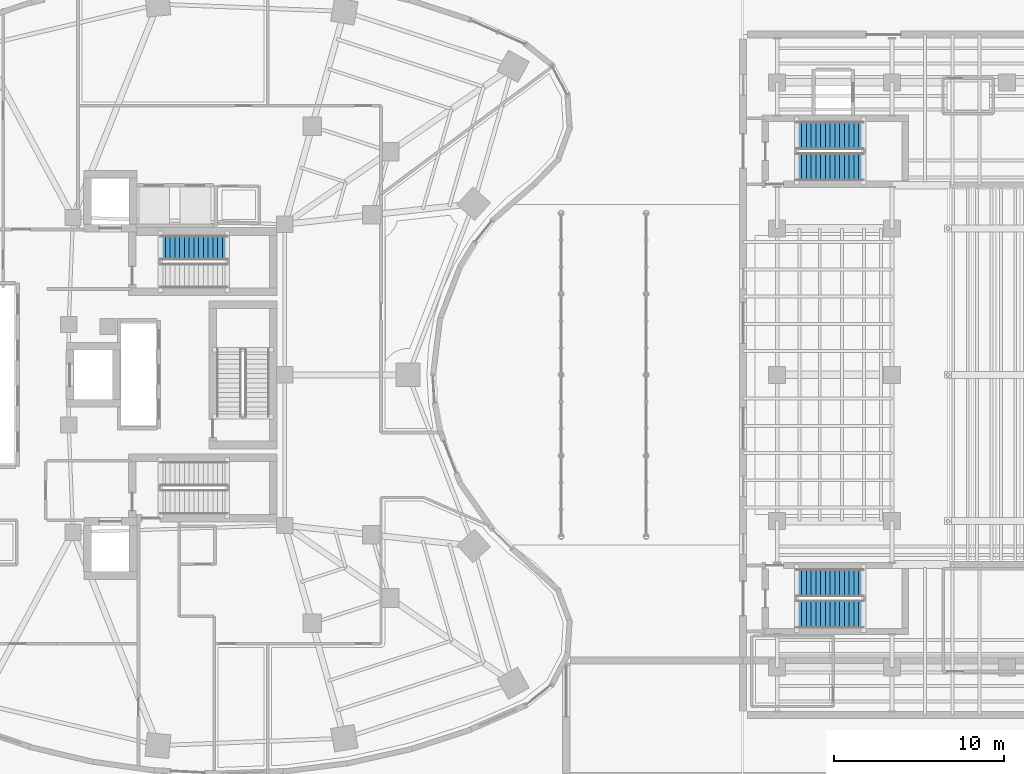
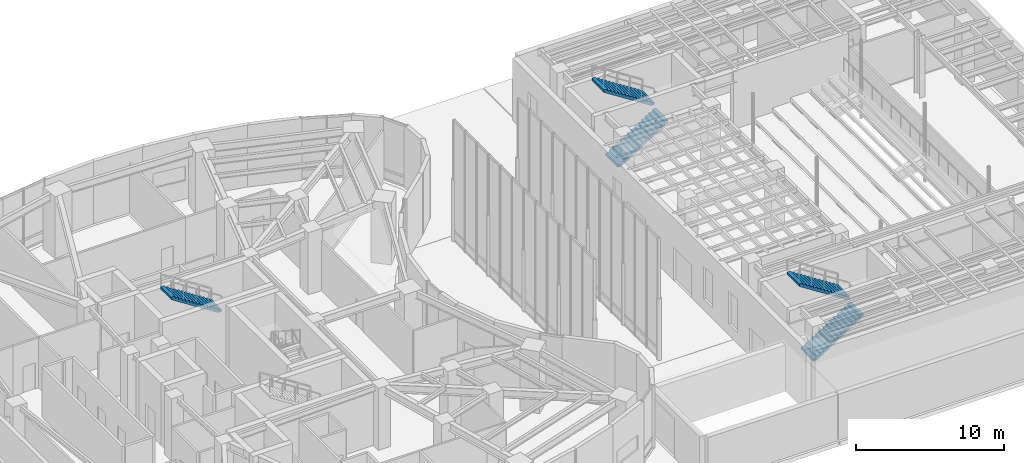
# One storey, part 23 of 28: 5 stair flights, 3 elements without a shape of their own.
"""IFC4 building model written with IfcOpenShell, lengths in metres."""

import ifcopenshell
import ifcopenshell.guid

model = None  # the IFC model being written
_history = None  # IfcOwnerHistory: only IFC2X3 demands one
_inside = {}  # id of a spatial element -> (the spatial element, [elements in it])
_under = {}  # id of a project, library or spatial element -> (it, [spatial elements below it])
_declared = {}  # id of a project -> (the project, [libraries it declares])
_typed = {}  # id of a type object -> (the type object, [elements of that type])
_made_of = {}  # id of a material, layer set ... -> (it, [elements and type objects made of it])


def new_model(schema):
    """Start an empty IFC model of exactly this schema.

    Asked for "IFC4X3", IfcOpenShell would pick the latest addendum, in which some entities
    have other attributes; the version numbers below select the first issue.
    IFC2X3 requires an IfcOwnerHistory on every rooted entity: one is made here for all.
    """
    global model, _history
    if schema == "IFC4X3":
        model = ifcopenshell.file(schema_version=(4, 3, 0, 0))
    else:
        model = ifcopenshell.file(schema=schema)
    _inside.clear()
    _under.clear()
    _declared.clear()
    _typed.clear()
    _made_of.clear()
    _history = None
    if model.schema == "IFC2X3":
        org = make("IfcOrganization", Name="unknown")
        user = make(
            "IfcPersonAndOrganization",
            ThePerson=make("IfcPerson", FamilyName="unknown"),
            TheOrganization=org,
        )
        app = make(
            "IfcApplication",
            ApplicationDeveloper=org,
            Version="unknown",
            ApplicationFullName="unknown",
            ApplicationIdentifier="unknown",
        )
        _history = make(
            "IfcOwnerHistory",
            OwningUser=user,
            OwningApplication=app,
            ChangeAction="ADDED",
            CreationDate=0,
        )
    return model


def make(cls, **values):
    """One entity of the class cls with the attributes given. An attribute that is None is left unset."""
    return model.create_entity(
        cls, **{name: value for name, value in values.items() if value is not None}
    )


def rooted(cls, **values):
    """An entity with a GlobalId (a new one), such as an element, a storey or a relation."""
    return make(cls, GlobalId=ifcopenshell.guid.new(), OwnerHistory=_history, **values)


def si_unit(unit_type, name, prefix=None):
    """IfcSIUnit, for example si_unit("LENGTHUNIT", "METRE", prefix="MILLI")."""
    return make("IfcSIUnit", UnitType=unit_type, Prefix=prefix, Name=name)


def assignment(units):
    """IfcUnitAssignment: the units of a project."""
    return None if units is None else make("IfcUnitAssignment", Units=units)


def point(xyz):
    """IfcCartesianPoint."""
    return None if xyz is None else make("IfcCartesianPoint", Coordinates=xyz)


def direction(xyz):
    """IfcDirection."""
    return None if xyz is None else make("IfcDirection", DirectionRatios=xyz)


def frame(location, z_axis=None, x_axis=None):
    """IfcAxis2Placement3D, a coordinate frame: its origin and axes. An axis left out is left unset."""
    return make(
        "IfcAxis2Placement3D",
        Location=point(location),
        Axis=direction(z_axis),
        RefDirection=direction(x_axis),
    )


def origin():
    """The frame at (0, 0, 0) with its axes left unset."""
    return frame((0.0, 0.0, 0.0))


def place(relative_to, where):
    """IfcLocalPlacement: puts the frame where relative to a parent placement (None: the world)."""
    return make(
        "IfcLocalPlacement", PlacementRelTo=relative_to, RelativePlacement=where
    )


def context(
    kind, dimensions, precision=None, world=None, true_north=None, identifier=None
):
    """IfcGeometricRepresentationContext, for example the 3D "Model" context."""
    return make(
        "IfcGeometricRepresentationContext",
        ContextIdentifier=identifier,
        ContextType=kind,
        CoordinateSpaceDimension=dimensions,
        Precision=precision,
        WorldCoordinateSystem=world,
        TrueNorth=true_north,
    )


def subcontext(parent, identifier, kind, view, scale=None):
    """IfcGeometricRepresentationSubContext, for example "Body" below "Model"."""
    return make(
        "IfcGeometricRepresentationSubContext",
        ContextIdentifier=identifier,
        ContextType=kind,
        ParentContext=parent,
        TargetScale=scale,
        TargetView=view,
    )


def project(units=None, contexts=None):
    """IfcProject with its units and contexts."""
    return rooted(
        "IfcProject",
        Name="project",
        RepresentationContexts=contexts,
        UnitsInContext=assignment(units),
    )


def spatial(cls, under=None, at=None, **own):
    """A site, building, storey or space (cls), placed at a placement, below another one or the project."""
    s = rooted(cls, ObjectPlacement=at, **own)
    if under is not None:
        _under.setdefault(under.id(), (under, []))[1].append(s)
    return s


def polyline(points):
    """IfcPolyline through the points."""
    return make("IfcPolyline", Points=[point(p) for p in points])


def outline(outer, holes=None, kind="AREA"):
    """IfcArbitraryClosedProfileDef: a profile drawn as a closed curve; with holes, ...WithVoids."""
    if holes is None:
        return make("IfcArbitraryClosedProfileDef", ProfileType=kind, OuterCurve=outer)
    return make(
        "IfcArbitraryProfileDefWithVoids",
        ProfileType=kind,
        OuterCurve=outer,
        InnerCurves=holes,
    )


def extrude(swept, where, along, depth):
    """IfcExtrudedAreaSolid: the profile swept, set in the frame where, extruded along a direction by depth."""
    return make(
        "IfcExtrudedAreaSolid",
        SweptArea=swept,
        Position=where,
        ExtrudedDirection=direction(along),
        Depth=depth,
    )


def shape(context_of_items, identifier, shape_type, items):
    """IfcShapeRepresentation: the items that make up one representation, for example the "Body"."""
    return make(
        "IfcShapeRepresentation",
        ContextOfItems=context_of_items,
        RepresentationIdentifier=identifier,
        RepresentationType=shape_type,
        Items=items,
    )


def material(Name=None, Category=None):
    """IfcMaterial."""
    return make("IfcMaterial", Name=Name, Category=Category)


def made_of(thing, what):
    """Note that an element or type object is made of a material, layer set ...; save() writes the relation."""
    if what is not None:
        _made_of.setdefault(what.id(), (what, []))[1].append(thing)
    return thing


def type_object(cls, material=None, **own):
    """A type object (cls), such as IfcWallType, which elements share."""
    return made_of(rooted(cls, **own), material)


def element(
    cls,
    number,
    at=None,
    inside=None,
    cuts=None,
    type_object=None,
    material=None,
    context=None,
    identifier="Body",
    shape_type=None,
    held_by="IfcProductDefinitionShape",
    body=None,
    shapes=None,
    **own,
):
    """One element of the class cls, such as IfcWall. Its Tag is "e" and its number.

    at: its placement. inside: the storey or other place that contains it. cuts: it is an
    opening in that element (IfcRelVoidsElement). A single representation is given by context,
    identifier, shape_type and body (its items); several are given by shapes. held_by: the class
    of the entity that holds the representations. save() writes the other relations.
    """
    e = rooted(cls, Tag="e%d" % number, ObjectPlacement=at, **own)
    if body is not None:
        shapes = [shape(context, identifier, shape_type, body)]
    if shapes is not None:
        e.Representation = make(held_by, Representations=shapes)
    if inside is not None:
        _inside.setdefault(inside.id(), (inside, []))[1].append(e)
    if cuts is not None:
        rooted(
            "IfcRelVoidsElement", RelatingBuildingElement=cuts, RelatedOpeningElement=e
        )
    if type_object is not None:
        _typed.setdefault(type_object.id(), (type_object, []))[1].append(e)
    return made_of(e, material)


def aggregate(whole, parts):
    """IfcRelAggregates: a whole, such as a stair, and the parts it consists of."""
    return rooted("IfcRelAggregates", RelatingObject=whole, RelatedObjects=parts)


def save(model, path):
    """Write the relations noted so far, then the file.

    IfcRelAggregates (storeys below a building ...), IfcRelContainedInSpatialStructure (elements
    in a storey), IfcRelDefinesByType, IfcRelAssociatesMaterial and IfcRelDeclares: one each for
    every whole, place, type object, material and project.
    """
    for whole, parts in _under.values():
        aggregate(whole, parts)
    for where, things in _inside.values():
        rooted(
            "IfcRelContainedInSpatialStructure",
            RelatedElements=things,
            RelatingStructure=where,
        )
    for kind, things in _typed.values():
        rooted("IfcRelDefinesByType", RelatedObjects=things, RelatingType=kind)
    for what, things in _made_of.values():
        rooted("IfcRelAssociatesMaterial", RelatedObjects=things, RelatingMaterial=what)
    for by, libraries in _declared.values():
        rooted("IfcRelDeclares", RelatingContext=by, RelatedDefinitions=libraries)
    model.write(path)


model = new_model("IFC4")

# Units and contexts
model_context = context("Model", 3, precision=1e-05, world=origin(), true_north=direction((0.0, 1.0)))
body_context = subcontext(model_context, "Body", "Model", "MODEL_VIEW")
ifc_project = project(units=[si_unit("LENGTHUNIT", "METRE"), si_unit("AREAUNIT", "SQUARE_METRE"), si_unit("VOLUMEUNIT", "CUBIC_METRE"), si_unit("PLANEANGLEUNIT", "RADIAN"), si_unit("MASSUNIT", "GRAM", prefix="KILO")], contexts=[model_context])

# Site, building, storey
site_placement = place(None, origin())
site = spatial("IfcSite", under=ifc_project, at=site_placement, CompositionType="ELEMENT")
building_placement = place(site_placement, origin())
building = spatial("IfcBuilding", under=site, at=building_placement, Name="Korentha Bioscience Tower", CompositionType="ELEMENT")
storey_placement = place(building_placement, origin())
storey = spatial("IfcBuildingStorey", under=building, at=storey_placement, Name="L00", CompositionType="ELEMENT", Elevation=0.0)

# Stair, stair flight
ifc_material = material(Name="Precast Concrete C50", Category="concrete")
stair_type_1 = type_object("IfcStairType", Name="Core Exit Dog-Leg Stair 1450", PredefinedType="HALF_TURN_STAIR", material=ifc_material)
stair_1_placement = place(storey_placement, origin())
stair_1 = element("IfcStair", 1, at=stair_1_placement, inside=storey, type_object=stair_type_1, Name="L00 Tower North Pressurized Exit Stair ST-1", PredefinedType="HALF_TURN_STAIR")
stair_flight_type_1 = type_object("IfcStairFlightType", Name="Core Exit Dog-Leg Stair 1450 Flight", PredefinedType="STRAIGHT", material=ifc_material)
stair_flight_1_placement = place(storey_placement, frame((34.169921875, 34.47509765625, 2.699951171875), z_axis=(0.0, 0.0, 1.0), x_axis=(-1.0, 0.0, 0.0)))
stair_flight_1 = element("IfcStairFlight", 2, at=stair_flight_1_placement, type_object=stair_flight_type_1, Name="ST-1 flight 2", NumberOfRisers=15, NumberOfTreads=14, PredefinedType="STRAIGHT", RiserHeight=0.18, TreadLength=0.28, context=body_context, shape_type="SweptSolid", body=[
    extrude(outline(polyline([(0.0, 0.0), (0.0, 0.179931640625), (0.280029296875, 0.179931640625), (0.280029296875, 0.360107421875), (0.56005859375, 0.360107421875), (0.56005859375, 0.5400390625), (0.840087890625, 0.5400390625), (0.840087890625, 0.719970703125), (1.1201171875, 0.719970703125), (1.1201171875, 0.89990234375), (1.39990234375, 0.89990234375), (1.39990234375, 1.080078125), (1.679931640625, 1.080078125), (1.679931640625, 1.260009765625), (1.9599609375, 1.260009765625), (1.9599609375, 1.43994140625), (2.239990234375, 1.43994140625), (2.239990234375, 1.6201171875), (2.52001953125, 1.6201171875), (2.52001953125, 1.800048828125), (2.800048828125, 1.800048828125), (2.800048828125, 1.97998046875), (3.080078125, 1.97998046875), (3.080078125, 2.159912109375), (3.360107421875, 2.159912109375), (3.360107421875, 2.340087890625), (3.639892578125, 2.340087890625), (3.639892578125, 2.52001953125), (3.919921875, 2.52001953125), (3.919921875, 2.699951171875), (3.919921875, 2.329833984375), (0.295654296875, 0.0), (0.0, 0.0)])), frame((0.0, 0.72509765625, 0.0), z_axis=(0.0, -1.0, 0.0), x_axis=(1.0, 0.0, 0.0)), (0.0, 0.0, 1.0), 1.449951171875),
])
aggregate(stair_1, [stair_flight_1])

# Stair, stair flights
stair_type_2 = type_object("IfcStairType", Name="Theatre Public Dog-Leg Stair 1650", PredefinedType="HALF_TURN_STAIR", material=ifc_material)
stair_2_placement = place(storey_placement, origin())
stair_2 = element("IfcStair", 3, at=stair_2_placement, inside=storey, type_object=stair_type_2, Name="L00 Civic Theatre South Exit Stair ST-T1", PredefinedType="HALF_TURN_STAIR")
stair_flight_type_2 = type_object("IfcStairFlightType", Name="Theatre Public Dog-Leg Stair 1650 Flight", PredefinedType="STRAIGHT", material=ifc_material)
stair_flight_2_placement = place(storey_placement, frame((67.64990234375, 12.925048828125, 0.0), z_axis=(0.0, 0.0, 1.0), x_axis=(1.0, 0.0, 0.0)))
stair_flight_2 = element("IfcStairFlight", 4, at=stair_flight_2_placement, type_object=stair_flight_type_2, Name="ST-T1 flight 1", NumberOfRisers=15, NumberOfTreads=14, PredefinedType="STRAIGHT", RiserHeight=0.18, TreadLength=0.28, context=body_context, shape_type="SweptSolid", body=[
    extrude(outline(polyline([(0.0, 0.0), (0.0, 0.179931640625), (0.280029296875, 0.179931640625), (0.280029296875, 0.360107421875), (0.56005859375, 0.360107421875), (0.56005859375, 0.5400390625), (0.840087890625, 0.5400390625), (0.840087890625, 0.719970703125), (1.1201171875, 0.719970703125), (1.1201171875, 0.89990234375), (1.39990234375, 0.89990234375), (1.39990234375, 1.080078125), (1.679931640625, 1.080078125), (1.679931640625, 1.260009765625), (1.9599609375, 1.260009765625), (1.9599609375, 1.43994140625), (2.239990234375, 1.43994140625), (2.239990234375, 1.6201171875), (2.52001953125, 1.6201171875), (2.52001953125, 1.800048828125), (2.800048828125, 1.800048828125), (2.800048828125, 1.97998046875), (3.080078125, 1.97998046875), (3.080078125, 2.159912109375), (3.360107421875, 2.159912109375), (3.360107421875, 2.340087890625), (3.639892578125, 2.340087890625), (3.639892578125, 2.52001953125), (3.919921875, 2.52001953125), (3.919921875, 2.699951171875), (3.919921875, 2.329833984375), (0.295654296875, 0.0), (0.0, 0.0)])), frame((0.0, 0.824951171875, 0.0), z_axis=(0.0, -1.0, 0.0), x_axis=(1.0, 0.0, 0.0)), (0.0, 0.0, 1.0), 1.64990234375),
])
stair_flight_3_placement = place(storey_placement, frame((71.570068359375, 14.77490234375, 2.699951171875), z_axis=(0.0, 0.0, 1.0), x_axis=(-1.0, 0.0, 0.0)))
stair_flight_3 = element("IfcStairFlight", 5, at=stair_flight_3_placement, type_object=stair_flight_type_2, Name="ST-T1 flight 2", NumberOfRisers=15, NumberOfTreads=14, PredefinedType="STRAIGHT", RiserHeight=0.18, TreadLength=0.28, context=body_context, shape_type="SweptSolid", body=[
    extrude(outline(polyline([(0.0, 0.0), (0.0, 0.179931640625), (0.280029296875, 0.179931640625), (0.280029296875, 0.360107421875), (0.56005859375, 0.360107421875), (0.56005859375, 0.5400390625), (0.840087890625, 0.5400390625), (0.840087890625, 0.719970703125), (1.1201171875, 0.719970703125), (1.1201171875, 0.89990234375), (1.39990234375, 0.89990234375), (1.39990234375, 1.080078125), (1.679931640625, 1.080078125), (1.679931640625, 1.260009765625), (1.9599609375, 1.260009765625), (1.9599609375, 1.43994140625), (2.239990234375, 1.43994140625), (2.239990234375, 1.6201171875), (2.52001953125, 1.6201171875), (2.52001953125, 1.800048828125), (2.800048828125, 1.800048828125), (2.800048828125, 1.97998046875), (3.080078125, 1.97998046875), (3.080078125, 2.159912109375), (3.360107421875, 2.159912109375), (3.360107421875, 2.340087890625), (3.639892578125, 2.340087890625), (3.639892578125, 2.52001953125), (3.919921875, 2.52001953125), (3.919921875, 2.699951171875), (3.919921875, 2.329833984375), (0.295654296875, 0.0), (0.0, 0.0)])), frame((0.0, 0.824951171875, 0.0), z_axis=(0.0, -1.0, 0.0), x_axis=(1.0, 0.0, 0.0)), (0.0, 0.0, 1.0), 1.64990234375),
])
aggregate(stair_2, [stair_flight_2, stair_flight_3])

stair_3_placement = place(storey_placement, origin())
stair_3 = element("IfcStair", 6, at=stair_3_placement, inside=storey, type_object=stair_type_2, Name="L00 Civic Theatre North Exit Stair ST-T2", PredefinedType="HALF_TURN_STAIR")
stair_flight_4_placement = place(storey_placement, frame((67.64990234375, 39.22509765625, 0.0), z_axis=(0.0, 0.0, 1.0), x_axis=(1.0, 0.0, 0.0)))
stair_flight_4 = element("IfcStairFlight", 7, at=stair_flight_4_placement, type_object=stair_flight_type_2, Name="ST-T2 flight 1", NumberOfRisers=15, NumberOfTreads=14, PredefinedType="STRAIGHT", RiserHeight=0.18, TreadLength=0.28, context=body_context, shape_type="SweptSolid", body=[
    extrude(outline(polyline([(0.0, 0.0), (0.0, 0.179931640625), (0.280029296875, 0.179931640625), (0.280029296875, 0.360107421875), (0.56005859375, 0.360107421875), (0.56005859375, 0.5400390625), (0.840087890625, 0.5400390625), (0.840087890625, 0.719970703125), (1.1201171875, 0.719970703125), (1.1201171875, 0.89990234375), (1.39990234375, 0.89990234375), (1.39990234375, 1.080078125), (1.679931640625, 1.080078125), (1.679931640625, 1.260009765625), (1.9599609375, 1.260009765625), (1.9599609375, 1.43994140625), (2.239990234375, 1.43994140625), (2.239990234375, 1.6201171875), (2.52001953125, 1.6201171875), (2.52001953125, 1.800048828125), (2.800048828125, 1.800048828125), (2.800048828125, 1.97998046875), (3.080078125, 1.97998046875), (3.080078125, 2.159912109375), (3.360107421875, 2.159912109375), (3.360107421875, 2.340087890625), (3.639892578125, 2.340087890625), (3.639892578125, 2.52001953125), (3.919921875, 2.52001953125), (3.919921875, 2.699951171875), (3.919921875, 2.329833984375), (0.295654296875, 0.0), (0.0, 0.0)])), frame((0.0, 0.824951171875, 0.0), z_axis=(0.0, -1.0, 0.0), x_axis=(1.0, 0.0, 0.0)), (0.0, 0.0, 1.0), 1.64990234375),
])
stair_flight_5_placement = place(storey_placement, frame((71.570068359375, 41.074951171875, 2.699951171875), z_axis=(0.0, 0.0, 1.0), x_axis=(-1.0, 0.0, 0.0)))
stair_flight_5 = element("IfcStairFlight", 8, at=stair_flight_5_placement, type_object=stair_flight_type_2, Name="ST-T2 flight 2", NumberOfRisers=15, NumberOfTreads=14, PredefinedType="STRAIGHT", RiserHeight=0.18, TreadLength=0.28, context=body_context, shape_type="SweptSolid", body=[
    extrude(outline(polyline([(0.0, 0.0), (0.0, 0.179931640625), (0.280029296875, 0.179931640625), (0.280029296875, 0.360107421875), (0.56005859375, 0.360107421875), (0.56005859375, 0.5400390625), (0.840087890625, 0.5400390625), (0.840087890625, 0.719970703125), (1.1201171875, 0.719970703125), (1.1201171875, 0.89990234375), (1.39990234375, 0.89990234375), (1.39990234375, 1.080078125), (1.679931640625, 1.080078125), (1.679931640625, 1.260009765625), (1.9599609375, 1.260009765625), (1.9599609375, 1.43994140625), (2.239990234375, 1.43994140625), (2.239990234375, 1.6201171875), (2.52001953125, 1.6201171875), (2.52001953125, 1.800048828125), (2.800048828125, 1.800048828125), (2.800048828125, 1.97998046875), (3.080078125, 1.97998046875), (3.080078125, 2.159912109375), (3.360107421875, 2.159912109375), (3.360107421875, 2.340087890625), (3.639892578125, 2.340087890625), (3.639892578125, 2.52001953125), (3.919921875, 2.52001953125), (3.919921875, 2.699951171875), (3.919921875, 2.329833984375), (0.295654296875, 0.0), (0.0, 0.0)])), frame((0.0, 0.824951171875, 0.0), z_axis=(0.0, -1.0, 0.0), x_axis=(1.0, 0.0, 0.0)), (0.0, 0.0, 1.0), 1.64990234375),
])
aggregate(stair_3, [stair_flight_4, stair_flight_5])

save(model, "model.ifc")
